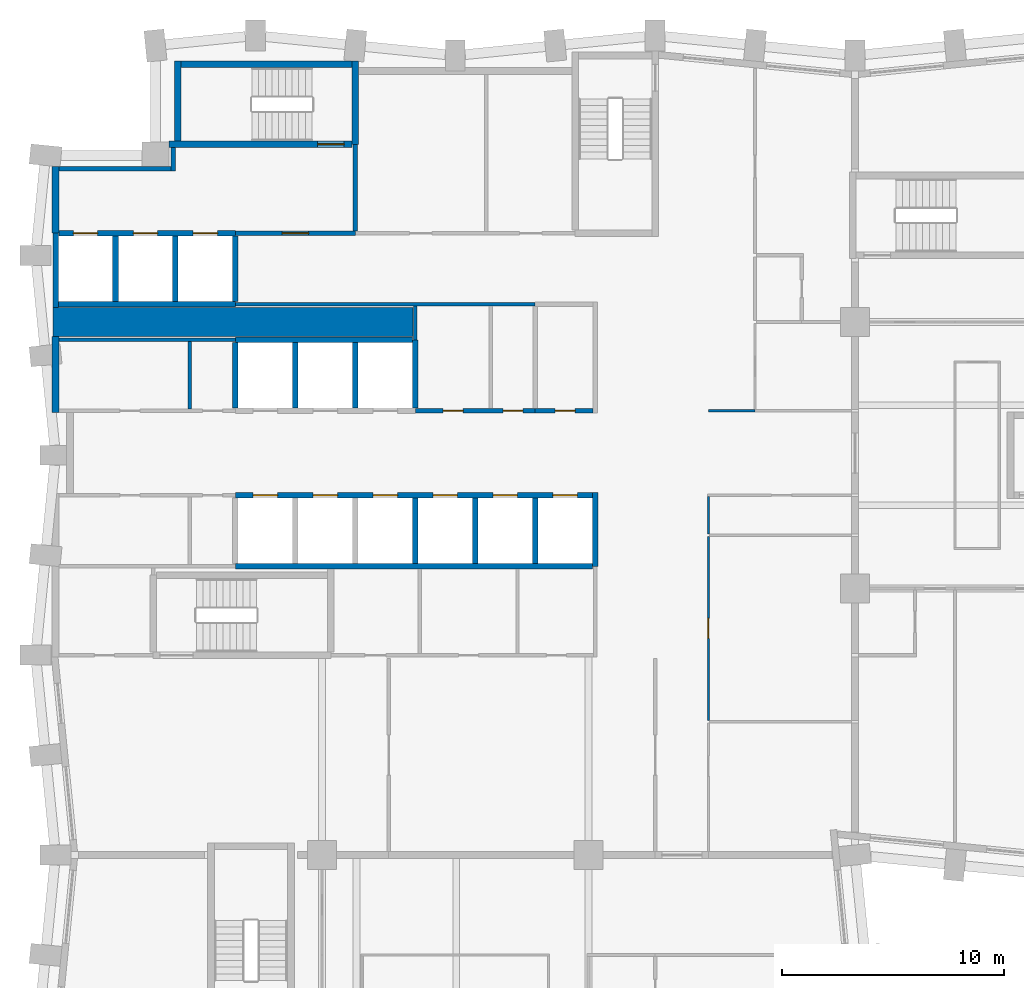
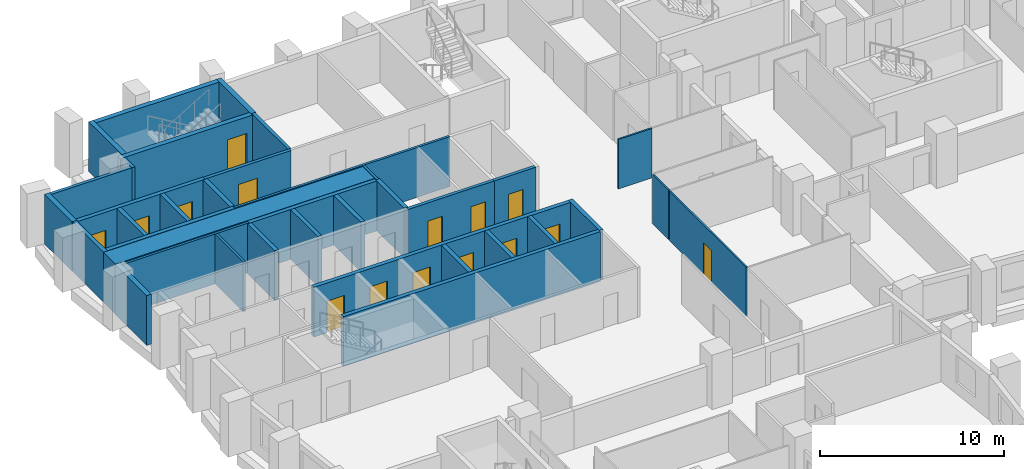
# One storey, part 6 of 12: 37 walls, 15 doors, 15 openings.
"""IFC4 building model written with IfcOpenShell, lengths in metres."""

from ifc_helpers import new_model, si_unit, direction, frame, frame_2d, origin, place, context, subcontext, project, spatial, rectangle, extrude, material, layer, layer_set, type_object, element, fill, save


model = new_model("IFC4")

# Units and contexts
model_context = context("Model", 3, precision=1e-05, world=origin(), true_north=direction((0.0, 1.0)))
body_context = subcontext(model_context, "Body", "Model", "MODEL_VIEW")
ifc_project = project(units=[si_unit("LENGTHUNIT", "METRE"), si_unit("AREAUNIT", "SQUARE_METRE"), si_unit("VOLUMEUNIT", "CUBIC_METRE"), si_unit("PLANEANGLEUNIT", "RADIAN"), si_unit("MASSUNIT", "GRAM", prefix="KILO")], contexts=[model_context])

# Site, building, storey
site_placement = place(None, origin())
site = spatial("IfcSite", under=ifc_project, at=site_placement, CompositionType="ELEMENT")
building_placement = place(site_placement, origin())
building = spatial("IfcBuilding", under=site, at=building_placement, Name="Brondeck Convention Tower", CompositionType="ELEMENT")
storey_placement = place(building_placement, frame((0.0, 0.0, 62.699951171875)))
storey = spatial("IfcBuildingStorey", under=building, at=storey_placement, Name="L13", CompositionType="ELEMENT", Elevation=62.699951171875)

# Walls
ifc_material_1 = material(Name="Concrete C80/95", Category="concrete")
ifc_layer_1 = layer(ifc_material_1, 0.300048828125)
ifc_layer_set_1 = layer_set([ifc_layer_1], Name="Core outer wall 300 Concrete C80/95")
wall_type_1 = type_object("IfcWallType", Name="Core outer wall 300 Concrete C80/95", PredefinedType="SHEAR", material=ifc_layer_set_1)
wall_1_placement = place(storey_placement, frame((0.0, 46.925048828125, 0.0), z_axis=(0.0, 0.0, 1.0), x_axis=(0.0, 1.0, 0.0)))
element("IfcWall", 1, at=wall_1_placement, inside=storey, type_object=wall_type_1, Name="L13 core wall", PredefinedType="SHEAR", context=body_context, shape_type="SweptSolid", body=[
    extrude(rectangle(XDim=3.425048828125, YDim=0.300048828125, at=frame_2d((1.71240234375, 0.0))), origin(), (0.0, 0.0, 1.0), 3.300048828125),
])
wall_2_placement = place(storey_placement, frame((0.0, 55.0, 0.0), z_axis=(0.0, 0.0, 1.0), x_axis=(0.0, 1.0, 0.0)))
element("IfcWall", 2, at=wall_2_placement, inside=storey, type_object=wall_type_1, Name="L13 core wall", PredefinedType="SHEAR", context=body_context, shape_type="SweptSolid", body=[
    extrude(rectangle(XDim=3.0, YDim=0.300048828125, at=frame_2d((1.5, 0.0))), origin(), (0.0, 0.0, 1.0), 3.300048828125),
])
ifc_material_2 = material(Name="Fire-rated gypsum board partition")
ifc_layer_2 = layer(ifc_material_2, 0.14990234375)
ifc_layer_set_2 = layer_set([ifc_layer_2], Name="Core partition 150 EI 60")
wall_type_2 = type_object("IfcWallType", Name="Core partition 150 EI 60", PredefinedType="PARTITIONING", material=ifc_layer_set_2)
wall_3_placement = place(storey_placement, frame((0.14990234375, 50.199951171875, 0.0), z_axis=(0.0, 0.0, 1.0), x_axis=(1.0, 0.0, 0.0)))
element("IfcWall", 3, at=wall_3_placement, inside=storey, type_object=wall_type_2, Name="L13 core wall", PredefinedType="PARTITIONING", context=body_context, shape_type="SweptSolid", body=[
    extrude(rectangle(XDim=7.9501953125, YDim=0.14990234375, at=frame_2d((3.97509765625, 0.0))), origin(), (0.0, 0.0, 1.0), 3.300048828125),
])
wall_4_placement = place(storey_placement, frame((8.10009765625, 51.800048828125, 0.0), z_axis=(0.0, 0.0, 1.0), x_axis=(1.0, 0.0, 0.0)))
element("IfcWall", 4, at=wall_4_placement, inside=storey, type_object=wall_type_2, Name="L13 core wall", PredefinedType="PARTITIONING", context=body_context, shape_type="SweptSolid", body=[
    extrude(rectangle(XDim=13.5, YDim=0.14990234375, at=frame_2d((6.75, 0.0))), origin(), (0.0, 0.0, 1.0), 3.300048828125),
])
wall_5_placement = place(storey_placement, frame((6.050048828125, 47.074951171875, 0.0), z_axis=(0.0, 0.0, 1.0), x_axis=(0.0, 1.0, 0.0)))
element("IfcWall", 5, at=wall_5_placement, inside=storey, type_object=wall_type_2, Name="L13 core wall", PredefinedType="PARTITIONING", context=body_context, shape_type="SweptSolid", body=[
    extrude(rectangle(XDim=3.050048828125, YDim=0.14990234375, at=frame_2d((1.52490234375, 0.0))), origin(), (0.0, 0.0, 1.0), 3.300048828125),
])
wall_6_placement = place(storey_placement, frame((16.199951171875, 50.199951171875, 0.0), z_axis=(0.0, 0.0, 1.0), x_axis=(0.0, 1.0, 0.0)))
element("IfcWall", 6, at=wall_6_placement, inside=storey, type_object=wall_type_2, Name="L13 core wall", PredefinedType="PARTITIONING", context=body_context, shape_type="SweptSolid", body=[
    extrude(rectangle(XDim=1.525146484375, YDim=0.14990234375, at=frame_2d((0.7626953125, 0.0))), origin(), (0.0, 0.0, 1.0), 3.300048828125),
])
ifc_layer_3 = layer(ifc_material_1, 1.300048828125)
ifc_layer_set_3 = layer_set([ifc_layer_3], Name="Core shear wall 1300 Concrete C80/95")
wall_type_3 = type_object("IfcWallType", Name="Core shear wall 1300 Concrete C80/95", PredefinedType="SHEAR", material=ifc_layer_set_3)
wall_7_placement = place(storey_placement, frame((-0.125, 51.0, 0.0), z_axis=(0.0, 0.0, 1.0), x_axis=(1.0, 0.0, 0.0)))
element("IfcWall", 7, at=wall_7_placement, inside=storey, type_object=wall_type_3, Name="L13 core wall", PredefinedType="SHEAR", context=body_context, shape_type="SweptSolid", body=[
    extrude(rectangle(XDim=16.22509765625, YDim=1.300048828125, at=frame_2d((8.112548828125, 0.0))), origin(), (0.0, 0.0, 1.0), 3.300048828125),
])

# Wall, opening, door
ifc_layer_4 = layer(ifc_material_2, 0.199951171875)
ifc_layer_set_4 = layer_set([ifc_layer_4], Name="Firefighting lobby wall 200 EI 120")
wall_type_4 = type_object("IfcWallType", Name="Firefighting lobby wall 200 EI 120", PredefinedType="PARTITIONING", material=ifc_layer_set_4)
wall_8_placement = place(storey_placement, frame((8.10009765625, 55.0, 0.0), z_axis=(0.0, 0.0, 1.0), x_axis=(1.0, 0.0, 0.0)))
wall_8 = element("IfcWall", 8, at=wall_8_placement, inside=storey, type_object=wall_type_4, Name="L13 core wall", PredefinedType="PARTITIONING", context=body_context, shape_type="SweptSolid", body=[
    extrude(rectangle(XDim=5.39990234375, YDim=0.199951171875, at=frame_2d((2.699951171875, 0.0))), origin(), (0.0, 0.0, 1.0), 3.300048828125),
])
opening_1_placement = place(wall_8_placement, frame((2.10009765625, 0.0, 0.0)))
opening_1 = element("IfcOpeningElement", 9, at=opening_1_placement, cuts=wall_8, Name="Opening C10-01", PredefinedType="OPENING", context=body_context, shape_type="SweptSolid", body=[
    extrude(rectangle(XDim=1.199951171875, YDim=2.199951171875, at=frame_2d((0.60009765625, 1.10009765625))), frame((0.0, 0.10986328125, 0.0), z_axis=(0.0, -1.0, 0.0), x_axis=(1.0, 0.0, 0.0)), (0.0, 0.0, 1.0), 0.219970703125),
])
ifc_material_3 = material(Name="Steel fire door", Category="steel")
door_type_1 = type_object("IfcDoorType", Name="Firefighting lobby door 1200x2200 EI 120", OperationType="NOTDEFINED", PredefinedType="DOOR", material=ifc_material_3)
door_1_placement = place(opening_1_placement, origin())
door_1 = element("IfcDoor", 10, at=door_1_placement, inside=storey, type_object=door_type_1, Name="L13 Firefighting lobby door FFL-1", OperationType="SINGLE_SWING_RIGHT", OverallHeight=2.199951171875, OverallWidth=1.199951171875, PredefinedType="DOOR", context=body_context, shape_type="SweptSolid", body=[
    extrude(rectangle(XDim=1.199951171875, YDim=2.199951171875, at=frame_2d((0.60009765625, 1.10009765625))), frame((0.0, 0.02490234375, 0.0), z_axis=(0.0, -1.0, 0.0), x_axis=(1.0, 0.0, 0.0)), (0.0, 0.0, 1.0), 0.050048828125),
])
fill(opening_1, door_1)

# Walls
wall_9_placement = place(storey_placement, frame((0.14990234375, 57.89990234375, 0.0), z_axis=(0.0, 0.0, 1.0), x_axis=(1.0, 0.0, 0.0)))
element("IfcWall", 11, at=wall_9_placement, inside=storey, type_object=wall_type_4, Name="L13 core wall", PredefinedType="PARTITIONING", context=body_context, shape_type="SweptSolid", body=[
    extrude(rectangle(XDim=5.050048828125, YDim=0.199951171875, at=frame_2d((2.52490234375, 0.0))), origin(), (0.0, 0.0, 1.0), 3.300048828125),
])
wall_10_placement = place(storey_placement, frame((5.300048828125, 57.800048828125, 0.0), z_axis=(0.0, 0.0, 1.0), x_axis=(0.0, 1.0, 0.0)))
element("IfcWall", 12, at=wall_10_placement, inside=storey, type_object=wall_type_4, Name="L13 core wall", PredefinedType="PARTITIONING", context=body_context, shape_type="SweptSolid", body=[
    extrude(rectangle(XDim=1.050048828125, YDim=0.199951171875, at=frame_2d((0.52490234375, 0.0))), origin(), (0.0, 0.0, 1.0), 3.300048828125),
])
wall_11_placement = place(storey_placement, frame((13.5, 55.10009765625, 0.0), z_axis=(0.0, 0.0, 1.0), x_axis=(0.0, 1.0, 0.0)))
element("IfcWall", 13, at=wall_11_placement, inside=storey, type_object=wall_type_4, Name="L13 core wall", PredefinedType="PARTITIONING", context=body_context, shape_type="SweptSolid", body=[
    extrude(rectangle(XDim=3.89990234375, YDim=0.199951171875, at=frame_2d((1.949951171875, 0.0))), origin(), (0.0, 0.0, 1.0), 3.300048828125),
])

# Wall, openings, doors
ifc_layer_5 = layer(ifc_material_2, 0.199951171875)
ifc_layer_set_5 = layer_set([ifc_layer_5], Name="Lift lobby wall 200 EI 60")
wall_type_5 = type_object("IfcWallType", Name="Lift lobby wall 200 EI 60", PredefinedType="PARTITIONING", material=ifc_layer_set_5)
wall_12_placement = place(storey_placement, frame((16.199951171875, 47.0, 0.0), z_axis=(0.0, 0.0, 1.0), x_axis=(1.0, 0.0, 0.0)))
wall_12 = element("IfcWall", 14, at=wall_12_placement, inside=storey, type_object=wall_type_5, Name="L13 core wall", PredefinedType="PARTITIONING", context=body_context, shape_type="SweptSolid", body=[
    extrude(rectangle(XDim=5.400146484375, YDim=0.199951171875, at=frame_2d((2.7001953125, 0.0))), origin(), (0.0, 0.0, 1.0), 3.300048828125),
])
opening_2_placement = place(wall_12_placement, frame((1.25, 0.0, 0.0)))
opening_2 = element("IfcOpeningElement", 15, at=opening_2_placement, cuts=wall_12, Name="Opening C10-09", PredefinedType="OPENING", context=body_context, shape_type="SweptSolid", body=[
    extrude(rectangle(XDim=0.89990234375, YDim=2.10009765625, at=frame_2d((0.449951171875, 1.050048828125))), frame((0.0, 0.10986328125, 0.0), z_axis=(0.0, -1.0, 0.0), x_axis=(1.0, 0.0, 0.0)), (0.0, 0.0, 1.0), 0.219970703125),
])
opening_3_placement = place(wall_12_placement, frame((3.949951171875, 0.0, 0.0)))
opening_3 = element("IfcOpeningElement", 16, at=opening_3_placement, cuts=wall_12, Name="Opening C10-10", PredefinedType="OPENING", context=body_context, shape_type="SweptSolid", body=[
    extrude(rectangle(XDim=0.89990234375, YDim=2.10009765625, at=frame_2d((0.449951171875, 1.050048828125))), frame((0.0, 0.10986328125, 0.0), z_axis=(0.0, -1.0, 0.0), x_axis=(1.0, 0.0, 0.0)), (0.0, 0.0, 1.0), 0.219970703125),
])
door_type_2 = type_object("IfcDoorType", Name="Room door 900x2100 EI 60", OperationType="NOTDEFINED", PredefinedType="DOOR", material=ifc_material_3)
door_2_placement = place(opening_2_placement, origin())
door_2 = element("IfcDoor", 17, at=door_2_placement, inside=storey, type_object=door_type_2, Name="L13 Room door FZ-N-16.2-1", OperationType="SINGLE_SWING_LEFT", OverallHeight=2.10009765625, OverallWidth=0.89990234375, PredefinedType="DOOR", context=body_context, shape_type="SweptSolid", body=[
    extrude(rectangle(XDim=0.89990234375, YDim=2.10009765625, at=frame_2d((0.449951171875, 1.050048828125))), frame((0.0, 0.02490234375, 0.0), z_axis=(0.0, -1.0, 0.0), x_axis=(1.0, 0.0, 0.0)), (0.0, 0.0, 1.0), 0.050048828125),
])
fill(opening_2, door_2)
door_3_placement = place(opening_3_placement, origin())
door_3 = element("IfcDoor", 18, at=door_3_placement, inside=storey, type_object=door_type_2, Name="L13 Room door FZ-N-16.2-2", OperationType="SINGLE_SWING_RIGHT", OverallHeight=2.10009765625, OverallWidth=0.89990234375, PredefinedType="DOOR", context=body_context, shape_type="SweptSolid", body=[
    extrude(rectangle(XDim=0.89990234375, YDim=2.10009765625, at=frame_2d((0.449951171875, 1.050048828125))), frame((0.0, 0.02490234375, 0.0), z_axis=(0.0, -1.0, 0.0), x_axis=(1.0, 0.0, 0.0)), (0.0, 0.0, 1.0), 0.050048828125),
])
fill(opening_3, door_3)

# Wall
ifc_layer_6 = layer(ifc_material_1, 0.25)
ifc_layer_set_6 = layer_set([ifc_layer_6], Name="Lift shaft wall 250 Concrete C80/95")
wall_type_6 = type_object("IfcWallType", Name="Lift shaft wall 250 Concrete C80/95", PredefinedType="SHEAR", material=ifc_layer_set_6)
wall_13_placement = place(storey_placement, frame((8.10009765625, 40.0, 0.0), z_axis=(0.0, 0.0, 1.0), x_axis=(1.0, 0.0, 0.0)))
element("IfcWall", 19, at=wall_13_placement, inside=storey, type_object=wall_type_6, Name="L13 core wall", PredefinedType="SHEAR", context=body_context, shape_type="SweptSolid", body=[
    extrude(rectangle(XDim=16.074951171875, YDim=0.25, at=frame_2d((8.03759765625, 0.0))), origin(), (0.0, 0.0, 1.0), 3.300048828125),
])

# Wall, openings, doors
wall_14_placement = place(storey_placement, frame((8.10009765625, 43.199951171875, 0.0), z_axis=(0.0, 0.0, 1.0), x_axis=(1.0, 0.0, 0.0)))
wall_14 = element("IfcWall", 20, at=wall_14_placement, inside=storey, type_object=wall_type_6, Name="L13 core wall", PredefinedType="SHEAR", context=body_context, shape_type="SweptSolid", body=[
    extrude(rectangle(XDim=16.074951171875, YDim=0.25, at=frame_2d((8.03759765625, 0.0))), origin(), (0.0, 0.0, 1.0), 3.300048828125),
])
opening_4_placement = place(wall_14_placement, frame((14.300048828125, 0.0, 0.0)))
opening_4 = element("IfcOpeningElement", 21, at=opening_4_placement, cuts=wall_14, Name="Opening C10-25", PredefinedType="OPENING", context=body_context, shape_type="SweptSolid", body=[
    extrude(rectangle(XDim=1.10009765625, YDim=2.10009765625, at=frame_2d((0.550048828125, 1.050048828125))), frame((0.0, 0.135009765625, 0.0), z_axis=(0.0, -1.0, 0.0), x_axis=(1.0, 0.0, 0.0)), (0.0, 0.0, 1.0), 0.27001953125),
])
opening_5_placement = place(wall_14_placement, frame((0.800048828125, 0.0, 0.0)))
opening_5 = element("IfcOpeningElement", 22, at=opening_5_placement, cuts=wall_14, Name="Opening C10-26", PredefinedType="OPENING", context=body_context, shape_type="SweptSolid", body=[
    extrude(rectangle(XDim=1.10009765625, YDim=2.10009765625, at=frame_2d((0.550048828125, 1.050048828125))), frame((0.0, 0.135009765625, 0.0), z_axis=(0.0, -1.0, 0.0), x_axis=(1.0, 0.0, 0.0)), (0.0, 0.0, 1.0), 0.27001953125),
])
opening_6_placement = place(wall_14_placement, frame((3.5, 0.0, 0.0)))
opening_6 = element("IfcOpeningElement", 23, at=opening_6_placement, cuts=wall_14, Name="Opening C10-27", PredefinedType="OPENING", context=body_context, shape_type="SweptSolid", body=[
    extrude(rectangle(XDim=1.10009765625, YDim=2.10009765625, at=frame_2d((0.550048828125, 1.050048828125))), frame((0.0, 0.135009765625, 0.0), z_axis=(0.0, -1.0, 0.0), x_axis=(1.0, 0.0, 0.0)), (0.0, 0.0, 1.0), 0.27001953125),
])
opening_7_placement = place(wall_14_placement, frame((6.199951171875, 0.0, 0.0)))
opening_7 = element("IfcOpeningElement", 24, at=opening_7_placement, cuts=wall_14, Name="Opening C10-28", PredefinedType="OPENING", context=body_context, shape_type="SweptSolid", body=[
    extrude(rectangle(XDim=1.10009765625, YDim=2.10009765625, at=frame_2d((0.550048828125, 1.050048828125))), frame((0.0, 0.135009765625, 0.0), z_axis=(0.0, -1.0, 0.0), x_axis=(1.0, 0.0, 0.0)), (0.0, 0.0, 1.0), 0.27001953125),
])
opening_8_placement = place(wall_14_placement, frame((8.89990234375, 0.0, 0.0)))
opening_8 = element("IfcOpeningElement", 25, at=opening_8_placement, cuts=wall_14, Name="Opening C10-32", PredefinedType="OPENING", context=body_context, shape_type="SweptSolid", body=[
    extrude(rectangle(XDim=1.10009765625, YDim=2.10009765625, at=frame_2d((0.550048828125, 1.050048828125))), frame((0.0, 0.135009765625, 0.0), z_axis=(0.0, -1.0, 0.0), x_axis=(1.0, 0.0, 0.0)), (0.0, 0.0, 1.0), 0.27001953125),
])
opening_9_placement = place(wall_14_placement, frame((11.60009765625, 0.0, 0.0)))
opening_9 = element("IfcOpeningElement", 26, at=opening_9_placement, cuts=wall_14, Name="Opening C10-33", PredefinedType="OPENING", context=body_context, shape_type="SweptSolid", body=[
    extrude(rectangle(XDim=1.10009765625, YDim=2.10009765625, at=frame_2d((0.550048828125, 1.050048828125))), frame((0.0, 0.135009765625, 0.0), z_axis=(0.0, -1.0, 0.0), x_axis=(1.0, 0.0, 0.0)), (0.0, 0.0, 1.0), 0.27001953125),
])
ifc_material_4 = material(Name="Stainless steel lift door", Category="steel")
door_type_3 = type_object("IfcDoorType", Name="Lift landing door 1100x2100 EI 180", OperationType="DOUBLE_DOOR_SLIDING", PredefinedType="DOOR", material=ifc_material_4)
door_4_placement = place(opening_4_placement, origin())
door_4 = element("IfcDoor", 27, at=door_4_placement, inside=storey, type_object=door_type_3, Name="L13 Lift landing door HS1", OperationType="DOUBLE_DOOR_SLIDING", OverallHeight=2.10009765625, OverallWidth=1.10009765625, PredefinedType="DOOR", context=body_context, shape_type="SweptSolid", body=[
    extrude(rectangle(XDim=1.10009765625, YDim=2.10009765625, at=frame_2d((0.550048828125, 1.050048828125))), frame((0.0, 0.02490234375, 0.0), z_axis=(0.0, -1.0, 0.0), x_axis=(1.0, 0.0, 0.0)), (0.0, 0.0, 1.0), 0.050048828125),
])
fill(opening_4, door_4)
door_5_placement = place(opening_5_placement, origin())
door_5 = element("IfcDoor", 28, at=door_5_placement, inside=storey, type_object=door_type_3, Name="L13 Lift landing door LR1", OperationType="DOUBLE_DOOR_SLIDING", OverallHeight=2.10009765625, OverallWidth=1.10009765625, PredefinedType="DOOR", context=body_context, shape_type="SweptSolid", body=[
    extrude(rectangle(XDim=1.10009765625, YDim=2.10009765625, at=frame_2d((0.550048828125, 1.050048828125))), frame((0.0, 0.02490234375, 0.0), z_axis=(0.0, -1.0, 0.0), x_axis=(1.0, 0.0, 0.0)), (0.0, 0.0, 1.0), 0.050048828125),
])
fill(opening_5, door_5)
door_6_placement = place(opening_6_placement, origin())
door_6 = element("IfcDoor", 29, at=door_6_placement, inside=storey, type_object=door_type_3, Name="L13 Lift landing door LR2", OperationType="DOUBLE_DOOR_SLIDING", OverallHeight=2.10009765625, OverallWidth=1.10009765625, PredefinedType="DOOR", context=body_context, shape_type="SweptSolid", body=[
    extrude(rectangle(XDim=1.10009765625, YDim=2.10009765625, at=frame_2d((0.550048828125, 1.050048828125))), frame((0.0, 0.02490234375, 0.0), z_axis=(0.0, -1.0, 0.0), x_axis=(1.0, 0.0, 0.0)), (0.0, 0.0, 1.0), 0.050048828125),
])
fill(opening_6, door_6)
door_7_placement = place(opening_7_placement, origin())
door_7 = element("IfcDoor", 30, at=door_7_placement, inside=storey, type_object=door_type_3, Name="L13 Lift landing door LR3", OperationType="DOUBLE_DOOR_SLIDING", OverallHeight=2.10009765625, OverallWidth=1.10009765625, PredefinedType="DOOR", context=body_context, shape_type="SweptSolid", body=[
    extrude(rectangle(XDim=1.10009765625, YDim=2.10009765625, at=frame_2d((0.550048828125, 1.050048828125))), frame((0.0, 0.02490234375, 0.0), z_axis=(0.0, -1.0, 0.0), x_axis=(1.0, 0.0, 0.0)), (0.0, 0.0, 1.0), 0.050048828125),
])
fill(opening_7, door_7)
door_8_placement = place(opening_8_placement, origin())
door_8 = element("IfcDoor", 31, at=door_8_placement, inside=storey, type_object=door_type_3, Name="L13 Lift landing door SH1", OperationType="DOUBLE_DOOR_SLIDING", OverallHeight=2.10009765625, OverallWidth=1.10009765625, PredefinedType="DOOR", context=body_context, shape_type="SweptSolid", body=[
    extrude(rectangle(XDim=1.10009765625, YDim=2.10009765625, at=frame_2d((0.550048828125, 1.050048828125))), frame((0.0, 0.02490234375, 0.0), z_axis=(0.0, -1.0, 0.0), x_axis=(1.0, 0.0, 0.0)), (0.0, 0.0, 1.0), 0.050048828125),
])
fill(opening_8, door_8)
door_9_placement = place(opening_9_placement, origin())
door_9 = element("IfcDoor", 32, at=door_9_placement, inside=storey, type_object=door_type_3, Name="L13 Lift landing door SH2", OperationType="DOUBLE_DOOR_SLIDING", OverallHeight=2.10009765625, OverallWidth=1.10009765625, PredefinedType="DOOR", context=body_context, shape_type="SweptSolid", body=[
    extrude(rectangle(XDim=1.10009765625, YDim=2.10009765625, at=frame_2d((0.550048828125, 1.050048828125))), frame((0.0, 0.02490234375, 0.0), z_axis=(0.0, -1.0, 0.0), x_axis=(1.0, 0.0, 0.0)), (0.0, 0.0, 1.0), 0.050048828125),
])
fill(opening_9, door_9)

# Walls
wall_15_placement = place(storey_placement, frame((8.10009765625, 50.199951171875, 0.0), z_axis=(0.0, 0.0, 1.0), x_axis=(1.0, 0.0, 0.0)))
element("IfcWall", 33, at=wall_15_placement, inside=storey, type_object=wall_type_6, Name="L13 core wall", PredefinedType="SHEAR", context=body_context, shape_type="SweptSolid", body=[
    extrude(rectangle(XDim=7.974853515625, YDim=0.25, at=frame_2d((3.9873046875, 0.0))), origin(), (0.0, 0.0, 1.0), 3.300048828125),
])
wall_16_placement = place(storey_placement, frame((0.125, 51.800048828125, 0.0), z_axis=(0.0, 0.0, 1.0), x_axis=(1.0, 0.0, 0.0)))
element("IfcWall", 34, at=wall_16_placement, inside=storey, type_object=wall_type_6, Name="L13 core wall", PredefinedType="SHEAR", context=body_context, shape_type="SweptSolid", body=[
    extrude(rectangle(XDim=7.97509765625, YDim=0.25, at=frame_2d((3.987548828125, 0.0))), origin(), (0.0, 0.0, 1.0), 3.300048828125),
])

# Wall, openings, doors
wall_17_placement = place(storey_placement, frame((0.14990234375, 55.0, 0.0), z_axis=(0.0, 0.0, 1.0), x_axis=(1.0, 0.0, 0.0)))
wall_17 = element("IfcWall", 35, at=wall_17_placement, inside=storey, type_object=wall_type_6, Name="L13 core wall", PredefinedType="SHEAR", context=body_context, shape_type="SweptSolid", body=[
    extrude(rectangle(XDim=7.9501953125, YDim=0.25, at=frame_2d((3.97509765625, 0.0))), origin(), (0.0, 0.0, 1.0), 3.300048828125),
])
opening_10_placement = place(wall_17_placement, frame((0.64990234375, 0.0, 0.0)))
opening_10 = element("IfcOpeningElement", 36, at=opening_10_placement, cuts=wall_17, Name="Opening C10-22", PredefinedType="OPENING", context=body_context, shape_type="SweptSolid", body=[
    extrude(rectangle(XDim=1.10009765625, YDim=2.10009765625, at=frame_2d((0.550048828125, 1.050048828125))), frame((0.0, 0.135009765625, 0.0), z_axis=(0.0, -1.0, 0.0), x_axis=(1.0, 0.0, 0.0)), (0.0, 0.0, 1.0), 0.27001953125),
])
opening_11_placement = place(wall_17_placement, frame((3.35009765625, 0.0, 0.0)))
opening_11 = element("IfcOpeningElement", 37, at=opening_11_placement, cuts=wall_17, Name="Opening C10-23", PredefinedType="OPENING", context=body_context, shape_type="SweptSolid", body=[
    extrude(rectangle(XDim=1.10009765625, YDim=2.10009765625, at=frame_2d((0.550048828125, 1.050048828125))), frame((0.0, 0.135009765625, 0.0), z_axis=(0.0, -1.0, 0.0), x_axis=(1.0, 0.0, 0.0)), (0.0, 0.0, 1.0), 0.27001953125),
])
opening_12_placement = place(wall_17_placement, frame((6.050048828125, 0.0, 0.0)))
opening_12 = element("IfcOpeningElement", 38, at=opening_12_placement, cuts=wall_17, Name="Opening C10-24", PredefinedType="OPENING", context=body_context, shape_type="SweptSolid", body=[
    extrude(rectangle(XDim=1.10009765625, YDim=2.10009765625, at=frame_2d((0.550048828125, 1.050048828125))), frame((0.0, 0.135009765625, 0.0), z_axis=(0.0, -1.0, 0.0), x_axis=(1.0, 0.0, 0.0)), (0.0, 0.0, 1.0), 0.27001953125),
])
door_10_placement = place(opening_10_placement, origin())
door_10 = element("IfcDoor", 39, at=door_10_placement, inside=storey, type_object=door_type_3, Name="L13 Lift landing door FF1", OperationType="DOUBLE_DOOR_SLIDING", OverallHeight=2.10009765625, OverallWidth=1.10009765625, PredefinedType="DOOR", context=body_context, shape_type="SweptSolid", body=[
    extrude(rectangle(XDim=1.10009765625, YDim=2.10009765625, at=frame_2d((0.550048828125, 1.050048828125))), frame((0.0, 0.02490234375, 0.0), z_axis=(0.0, -1.0, 0.0), x_axis=(1.0, 0.0, 0.0)), (0.0, 0.0, 1.0), 0.050048828125),
])
fill(opening_10, door_10)
door_11_placement = place(opening_11_placement, origin())
door_11 = element("IfcDoor", 40, at=door_11_placement, inside=storey, type_object=door_type_3, Name="L13 Lift landing door FF2", OperationType="DOUBLE_DOOR_SLIDING", OverallHeight=2.10009765625, OverallWidth=1.10009765625, PredefinedType="DOOR", context=body_context, shape_type="SweptSolid", body=[
    extrude(rectangle(XDim=1.10009765625, YDim=2.10009765625, at=frame_2d((0.550048828125, 1.050048828125))), frame((0.0, 0.02490234375, 0.0), z_axis=(0.0, -1.0, 0.0), x_axis=(1.0, 0.0, 0.0)), (0.0, 0.0, 1.0), 0.050048828125),
])
fill(opening_11, door_11)
door_12_placement = place(opening_12_placement, origin())
door_12 = element("IfcDoor", 41, at=door_12_placement, inside=storey, type_object=door_type_3, Name="L13 Lift landing door FF3", OperationType="DOUBLE_DOOR_SLIDING", OverallHeight=2.10009765625, OverallWidth=1.10009765625, PredefinedType="DOOR", context=body_context, shape_type="SweptSolid", body=[
    extrude(rectangle(XDim=1.10009765625, YDim=2.10009765625, at=frame_2d((0.550048828125, 1.050048828125))), frame((0.0, 0.02490234375, 0.0), z_axis=(0.0, -1.0, 0.0), x_axis=(1.0, 0.0, 0.0)), (0.0, 0.0, 1.0), 0.050048828125),
])
fill(opening_12, door_12)

# Walls
wall_18_placement = place(storey_placement, frame((0.0, 51.64990234375, 0.0), z_axis=(0.0, 0.0, 1.0), x_axis=(0.0, 1.0, 0.0)))
element("IfcWall", 42, at=wall_18_placement, inside=storey, type_object=wall_type_6, Name="L13 core wall", PredefinedType="SHEAR", context=body_context, shape_type="SweptSolid", body=[
    extrude(rectangle(XDim=3.35009765625, YDim=0.25, at=frame_2d((1.675048828125, 0.0))), origin(), (0.0, 0.0, 1.0), 3.300048828125),
])
for number, where, z_axis, x_axis, name in (
    (43, (2.699951171875, 51.925048828125, 0.0), (0.0, 0.0, 1.0), (0.0, 1.0, 0.0), "L13 core wall"),
    (44, (5.39990234375, 51.925048828125, 0.0), (0.0, 0.0, 1.0), (0.0, 1.0, 0.0), "L13 core wall"),
    (45, (8.10009765625, 47.125, 0.0), (0.0, 0.0, 1.0), (0.0, 1.0, 0.0), "L13 core wall"),
    (46, (8.10009765625, 51.925048828125, 0.0), (0.0, 0.0, 1.0), (0.0, 1.0, 0.0), "L13 core wall"),
    (47, (10.800048828125, 47.125, 0.0), (0.0, 0.0, 1.0), (0.0, 1.0, 0.0), "L13 core wall"),
    (48, (13.5, 47.125, 0.0), (0.0, 0.0, 1.0), (0.0, 1.0, 0.0), "L13 core wall"),
    (49, (16.199951171875, 40.125, 0.0), (0.0, 0.0, 1.0), (0.0, 1.0, 0.0), "L13 core wall"),
):
    element("IfcWall", number, at=place(storey_placement, frame(where, z_axis=z_axis, x_axis=x_axis)), inside=storey, type_object=wall_type_6, Name=name, PredefinedType="SHEAR", context=body_context, shape_type="SweptSolid", body=[
        extrude(rectangle(XDim=2.949951171875, YDim=0.25, at=frame_2d((1.47509765625, 0.0))), origin(), (0.0, 0.0, 1.0), 3.300048828125),
    ])
wall_19_placement = place(storey_placement, frame((16.199951171875, 47.125, 0.0), z_axis=(0.0, 0.0, 1.0), x_axis=(0.0, 1.0, 0.0)))
element("IfcWall", 50, at=wall_19_placement, inside=storey, type_object=wall_type_6, Name="L13 core wall", PredefinedType="SHEAR", context=body_context, shape_type="SweptSolid", body=[
    extrude(rectangle(XDim=3.074951171875, YDim=0.25, at=frame_2d((1.53759765625, 0.0))), origin(), (0.0, 0.0, 1.0), 3.300048828125),
])
for number, where, z_axis, x_axis, name in (
    (51, (18.89990234375, 40.125, 0.0), (0.0, 0.0, 1.0), (0.0, 1.0, 0.0), "L13 core wall"),
    (52, (21.60009765625, 40.125, 0.0), (0.0, 0.0, 1.0), (0.0, 1.0, 0.0), "L13 core wall"),
):
    element("IfcWall", number, at=place(storey_placement, frame(where, z_axis=z_axis, x_axis=x_axis)), inside=storey, type_object=wall_type_6, Name=name, PredefinedType="SHEAR", context=body_context, shape_type="SweptSolid", body=[
        extrude(rectangle(XDim=2.949951171875, YDim=0.25, at=frame_2d((1.47509765625, 0.0))), origin(), (0.0, 0.0, 1.0), 3.300048828125),
    ])
wall_20_placement = place(storey_placement, frame((24.300048828125, 40.0, 0.0), z_axis=(0.0, 0.0, 1.0), x_axis=(0.0, 1.0, 0.0)))
element("IfcWall", 53, at=wall_20_placement, inside=storey, type_object=wall_type_6, Name="L13 core wall", PredefinedType="SHEAR", context=body_context, shape_type="SweptSolid", body=[
    extrude(rectangle(XDim=3.324951171875, YDim=0.25, at=frame_2d((1.66259765625, 0.0))), origin(), (0.0, 0.0, 1.0), 3.300048828125),
])

# Wall, opening, door
ifc_layer_7 = layer(ifc_material_2, 0.199951171875)
ifc_layer_set_7 = layer_set([ifc_layer_7], Name="Riser wall 200 EI 120")
wall_type_7 = type_object("IfcWallType", Name="Riser wall 200 EI 120", PredefinedType="PARTITIONING", material=ifc_layer_set_7)
wall_21_placement = place(storey_placement, frame((21.60009765625, 47.0, 0.0), z_axis=(0.0, 0.0, 1.0), x_axis=(1.0, 0.0, 0.0)))
wall_21 = element("IfcWall", 54, at=wall_21_placement, inside=storey, type_object=wall_type_7, Name="L13 core wall", PredefinedType="PARTITIONING", context=body_context, shape_type="SweptSolid", body=[
    extrude(rectangle(XDim=2.599853515625, YDim=0.199951171875, at=frame_2d((1.2998046875, 0.0))), origin(), (0.0, 0.0, 1.0), 3.300048828125),
])
opening_13_placement = place(wall_21_placement, frame((0.89990234375, 0.0, 0.0)))
opening_13 = element("IfcOpeningElement", 55, at=opening_13_placement, cuts=wall_21, Name="Opening C10-02", PredefinedType="OPENING", context=body_context, shape_type="SweptSolid", body=[
    extrude(rectangle(XDim=0.89990234375, YDim=2.10009765625, at=frame_2d((0.449951171875, 1.050048828125))), frame((0.0, 0.10986328125, 0.0), z_axis=(0.0, -1.0, 0.0), x_axis=(1.0, 0.0, 0.0)), (0.0, 0.0, 1.0), 0.219970703125),
])
door_type_4 = type_object("IfcDoorType", Name="Riser door 900x2100 EI 120", OperationType="NOTDEFINED", PredefinedType="DOOR", material=ifc_material_3)
door_13_placement = place(opening_13_placement, origin())
door_13 = element("IfcDoor", 56, at=door_13_placement, inside=storey, type_object=door_type_4, Name="L13 Riser door EN-1", OperationType="SINGLE_SWING_LEFT", OverallHeight=2.10009765625, OverallWidth=0.89990234375, PredefinedType="DOOR", context=body_context, shape_type="SweptSolid", body=[
    extrude(rectangle(XDim=0.89990234375, YDim=2.10009765625, at=frame_2d((0.449951171875, 1.050048828125))), frame((0.0, 0.02490234375, 0.0), z_axis=(0.0, -1.0, 0.0), x_axis=(1.0, 0.0, 0.0)), (0.0, 0.0, 1.0), 0.050048828125),
])
fill(opening_13, door_13)

ifc_material_5 = material(Name="Gypsum board partition on steel studs", Category="steel")
ifc_layer_8 = layer(ifc_material_5, 0.10009765625)
ifc_layer_set_8 = layer_set([ifc_layer_8], Name="Room partition 100")
wall_type_8 = type_object("IfcWallType", Name="Room partition 100", PredefinedType="PARTITIONING", material=ifc_layer_set_8)
wall_22_placement = place(storey_placement, frame((29.39990234375, 41.35009765625, 0.0), z_axis=(0.0, 0.0, 1.0), x_axis=(0.0, -1.0, 0.0)))
wall_22 = element("IfcWall", 57, at=wall_22_placement, inside=storey, type_object=wall_type_8, Name="FLR-L13-W078", PredefinedType="PARTITIONING", context=body_context, shape_type="SweptSolid", body=[
    extrude(rectangle(XDim=8.300048828125, YDim=0.10009765625, at=frame_2d((4.14990234375, 0.0))), origin(), (0.0, 0.0, 1.0), 3.280029296875),
])
opening_14_placement = place(wall_22_placement, frame((3.699951171875, 0.0, 0.0)))
opening_14 = element("IfcOpeningElement", 58, at=opening_14_placement, cuts=wall_22, Name="Opening H3-037", PredefinedType="OPENING", context=body_context, shape_type="SweptSolid", body=[
    extrude(rectangle(XDim=0.89990234375, YDim=2.10009765625, at=frame_2d((0.449951171875, 1.050048828125))), frame((0.0, 0.06005859375, 0.0), z_axis=(0.0, -1.0, 0.0), x_axis=(1.0, 0.0, 0.0)), (0.0, 0.0, 1.0), 0.1201171875),
])
ifc_material_6 = material(Name="Solid timber door leaf", Category="wood")
door_type_5 = type_object("IfcDoorType", Name="Single door 900", OperationType="NOTDEFINED", PredefinedType="DOOR", material=ifc_material_6)
door_14_placement = place(opening_14_placement, origin())
door_14 = element("IfcDoor", 59, at=door_14_placement, inside=storey, type_object=door_type_5, Name="Door H3-037", OperationType="SINGLE_SWING_LEFT", OverallHeight=2.10009765625, OverallWidth=0.89990234375, PredefinedType="DOOR", context=body_context, shape_type="SweptSolid", body=[
    extrude(rectangle(XDim=0.89990234375, YDim=2.10009765625, at=frame_2d((0.449951171875, 1.050048828125))), frame((0.0, 0.02490234375, 0.0), z_axis=(0.0, -1.0, 0.0), x_axis=(1.0, 0.0, 0.0)), (0.0, 0.0, 1.0), 0.050048828125),
])
fill(opening_14, door_14)

# Walls
wall_23_placement = place(storey_placement, frame((29.39990234375, 43.14990234375, 0.0), z_axis=(0.0, 0.0, 1.0), x_axis=(0.0, -1.0, 0.0)))
element("IfcWall", 60, at=wall_23_placement, inside=storey, type_object=wall_type_8, Name="FLR-L13-W081", PredefinedType="PARTITIONING", context=body_context, shape_type="SweptSolid", body=[
    extrude(rectangle(XDim=1.699951171875, YDim=0.10009765625, at=frame_2d((0.85009765625, 0.0))), origin(), (0.0, 0.0, 1.0), 3.280029296875),
])
wall_24_placement = place(storey_placement, frame((29.39990234375, 47.0, 0.0), z_axis=(0.0, 0.0, 1.0), x_axis=(1.0, 0.0, 0.0)))
element("IfcWall", 61, at=wall_24_placement, inside=storey, type_object=wall_type_8, Name="FLR-L13-W087", PredefinedType="PARTITIONING", context=body_context, shape_type="SweptSolid", body=[
    extrude(rectangle(XDim=2.10009765625, YDim=0.10009765625, at=frame_2d((1.050048828125, 0.0))), origin(), (0.0, 0.0, 1.0), 3.280029296875),
])

# Wall, opening, door
ifc_layer_9 = layer(ifc_material_1, 0.300048828125)
ifc_layer_set_9 = layer_set([ifc_layer_9], Name="Stair enclosure wall 300 Concrete C80/95")
wall_type_9 = type_object("IfcWallType", Name="Stair enclosure wall 300 Concrete C80/95", PredefinedType="SHEAR", material=ifc_layer_set_9)
wall_25_placement = place(storey_placement, frame((5.10009765625, 59.0, 0.0), z_axis=(0.0, 0.0, 1.0), x_axis=(1.0, 0.0, 0.0)))
wall_25 = element("IfcWall", 62, at=wall_25_placement, inside=storey, type_object=wall_type_9, Name="L13 core wall", PredefinedType="SHEAR", context=body_context, shape_type="SweptSolid", body=[
    extrude(rectangle(XDim=8.25, YDim=0.300048828125, at=frame_2d((4.125, 0.0))), origin(), (0.0, 0.0, 1.0), 3.300048828125),
])
opening_15_placement = place(wall_25_placement, frame((6.699951171875, 0.0, 0.0)))
opening_15 = element("IfcOpeningElement", 63, at=opening_15_placement, cuts=wall_25, Name="Opening C10-17", PredefinedType="OPENING", context=body_context, shape_type="SweptSolid", body=[
    extrude(rectangle(XDim=1.199951171875, YDim=2.199951171875, at=frame_2d((0.60009765625, 1.10009765625))), frame((0.0, 0.159912109375, 0.0), z_axis=(0.0, -1.0, 0.0), x_axis=(1.0, 0.0, 0.0)), (0.0, 0.0, 1.0), 0.320068359375),
])
door_type_6 = type_object("IfcDoorType", Name="Stair door 1200x2200 EI 120", OperationType="NOTDEFINED", PredefinedType="DOOR", material=ifc_material_3)
door_15_placement = place(opening_15_placement, origin())
door_15 = element("IfcDoor", 64, at=door_15_placement, inside=storey, type_object=door_type_6, Name="L13 Stair door ST-3", OperationType="SINGLE_SWING_RIGHT", OverallHeight=2.199951171875, OverallWidth=1.199951171875, PredefinedType="DOOR", context=body_context, shape_type="SweptSolid", body=[
    extrude(rectangle(XDim=1.199951171875, YDim=2.199951171875, at=frame_2d((0.60009765625, 1.10009765625))), frame((0.0, 0.02490234375, 0.0), z_axis=(0.0, -1.0, 0.0), x_axis=(1.0, 0.0, 0.0)), (0.0, 0.0, 1.0), 0.050048828125),
])
fill(opening_15, door_15)

# Walls
wall_26_placement = place(storey_placement, frame((5.64990234375, 62.60009765625, 0.0), z_axis=(0.0, 0.0, 1.0), x_axis=(1.0, 0.0, 0.0)))
element("IfcWall", 65, at=wall_26_placement, inside=storey, type_object=wall_type_9, Name="L13 core wall", PredefinedType="SHEAR", context=body_context, shape_type="SweptSolid", body=[
    extrude(rectangle(XDim=7.7001953125, YDim=0.300048828125, at=frame_2d((3.85009765625, 0.0))), origin(), (0.0, 0.0, 1.0), 3.300048828125),
])
wall_27_placement = place(storey_placement, frame((5.5, 59.14990234375, 0.0), z_axis=(0.0, 0.0, 1.0), x_axis=(0.0, 1.0, 0.0)))
element("IfcWall", 66, at=wall_27_placement, inside=storey, type_object=wall_type_9, Name="L13 core wall", PredefinedType="SHEAR", context=body_context, shape_type="SweptSolid", body=[
    extrude(rectangle(XDim=3.60009765625, YDim=0.300048828125, at=frame_2d((1.800048828125, 0.0))), origin(), (0.0, 0.0, 1.0), 3.300048828125),
])
wall_28_placement = place(storey_placement, frame((13.5, 59.0, 0.0), z_axis=(0.0, 0.0, 1.0), x_axis=(0.0, 1.0, 0.0)))
element("IfcWall", 67, at=wall_28_placement, inside=storey, type_object=wall_type_9, Name="L13 core wall", PredefinedType="SHEAR", context=body_context, shape_type="SweptSolid", body=[
    extrude(rectangle(XDim=3.75, YDim=0.300048828125, at=frame_2d((1.875, 0.0))), origin(), (0.0, 0.0, 1.0), 3.300048828125),
])

save(model, "model.ifc")
